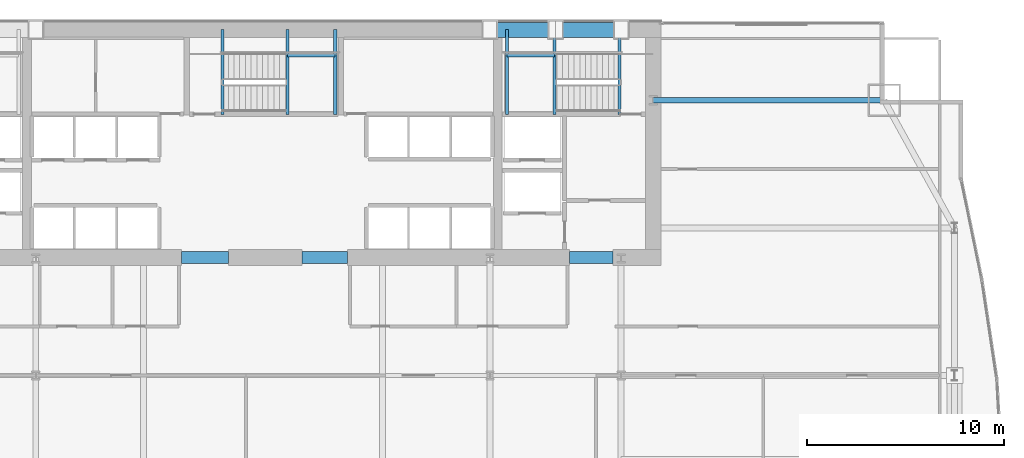
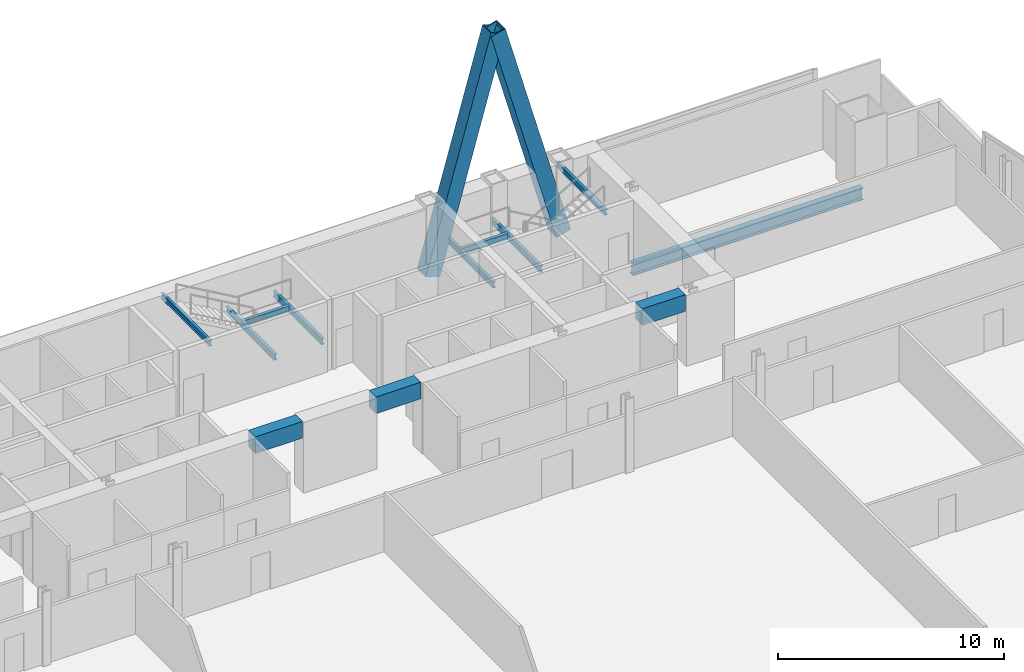
# One storey, part 19 of 36: 12 beams, 2 members.
"""IFC4 building model written with IfcOpenShell, lengths in metres."""

from ifc_helpers import new_model, si_unit, direction, frame, origin, origin_2d, place, context, subcontext, project, spatial, rectangle, hollow_rectangle, i_section, extrude, material, material_profile, profile_set, type_object, element, save


model = new_model("IFC4")

# Units and contexts
model_context = context("Model", 3, precision=1e-05, world=origin(), true_north=direction((0.0, 1.0)))
body_context = subcontext(model_context, "Body", "Model", "MODEL_VIEW")
ifc_project = project(units=[si_unit("LENGTHUNIT", "METRE"), si_unit("AREAUNIT", "SQUARE_METRE"), si_unit("VOLUMEUNIT", "CUBIC_METRE"), si_unit("PLANEANGLEUNIT", "RADIAN"), si_unit("MASSUNIT", "GRAM", prefix="KILO")], contexts=[model_context])

# Site, building, storey
site_placement = place(None, origin())
site = spatial("IfcSite", under=ifc_project, at=site_placement, CompositionType="ELEMENT")
building_placement = place(site_placement, origin())
building = spatial("IfcBuilding", under=site, at=building_placement, Name="Khoronbel Lancet Exchange", CompositionType="ELEMENT")
storey_placement = place(building_placement, frame((0.0, 0.0, 49.800048828125)))
storey = spatial("IfcBuildingStorey", under=building, at=storey_placement, Name="L11", CompositionType="ELEMENT", Elevation=49.800048828125)

# Beams
ifc_material_1 = material(Name="Steel S355", Category="steel")
ifc_material_profile_1 = material_profile(ifc_material_1, i_section(OverallWidth=0.159912109375, OverallDepth=0.330078125, WebThickness=0.007568359375, FlangeThickness=0.011474609375, at=origin_2d()), Name="IPE 330")
ifc_profile_set_1 = profile_set([ifc_material_profile_1], Name="Steel S355")
beam_type_1 = type_object("IfcBeamType", Name="BM-BJ7", PredefinedType="JOIST", material=ifc_profile_set_1)
for number, where, z_axis, x_axis, name in (
    (1, (51.2900390625, 48.97998046875, 1.635009765625), (0.0, 1.0, 0.0), (-1.0, 0.0, 0.0), "Level L11 stair ST2 landing bearer beam 1"),
    (2, (48.8701171875, 48.97998046875, 1.635009765625), (0.0, 1.0, 0.0), (-1.0, 0.0, 0.0), "Level L11 stair ST2 rear landing bearer beam 1"),
):
    element("IfcBeam", number, at=place(storey_placement, frame(where, z_axis=z_axis, x_axis=x_axis)), inside=storey, type_object=beam_type_1, Name=name, PredefinedType="JOIST", context=body_context, shape_type="SweptSolid", body=[
        extrude(i_section(OverallWidth=0.159912109375, OverallDepth=0.330078125, WebThickness=0.007568359375, FlangeThickness=0.011474609375, at=origin_2d()), origin(), (0.0, 0.0, 1.0), 4.320068359375),
    ])
beam_1_placement = place(storey_placement, frame((48.8701171875, 51.97998046875, 1.635009765625), z_axis=(1.0, 0.0, 0.0), x_axis=(0.0, 1.0, 0.0)))
element("IfcBeam", 3, at=beam_1_placement, inside=storey, type_object=beam_type_1, Name="Level L11 stair ST2 landing cross trimmer beam 1", PredefinedType="JOIST", context=body_context, shape_type="SweptSolid", body=[
    extrude(i_section(OverallWidth=0.159912109375, OverallDepth=0.330078125, WebThickness=0.007568359375, FlangeThickness=0.011474609375, at=origin_2d()), origin(), (0.0, 0.0, 1.0), 2.419921875),
])
for number, where, z_axis, x_axis, name in (
    (4, (37.7099609375, 48.97998046875, 1.635009765625), (0.0, 1.0, 0.0), (-1.0, 0.0, 0.0), "Level L11 stair ST3 landing bearer beam 1"),
    (5, (40.1298828125, 48.97998046875, 1.635009765625), (0.0, 1.0, 0.0), (-1.0, 0.0, 0.0), "Level L11 stair ST3 rear landing bearer beam 1"),
):
    element("IfcBeam", number, at=place(storey_placement, frame(where, z_axis=z_axis, x_axis=x_axis)), inside=storey, type_object=beam_type_1, Name=name, PredefinedType="JOIST", context=body_context, shape_type="SweptSolid", body=[
        extrude(i_section(OverallWidth=0.159912109375, OverallDepth=0.330078125, WebThickness=0.007568359375, FlangeThickness=0.011474609375, at=origin_2d()), origin(), (0.0, 0.0, 1.0), 4.320068359375),
    ])
beam_2_placement = place(storey_placement, frame((37.7099609375, 51.97998046875, 1.635009765625), z_axis=(1.0, 0.0, 0.0), x_axis=(0.0, 1.0, 0.0)))
element("IfcBeam", 6, at=beam_2_placement, inside=storey, type_object=beam_type_1, Name="Level L11 stair ST3 landing cross trimmer beam 1", PredefinedType="JOIST", context=body_context, shape_type="SweptSolid", body=[
    extrude(i_section(OverallWidth=0.159912109375, OverallDepth=0.330078125, WebThickness=0.007568359375, FlangeThickness=0.011474609375, at=origin_2d()), origin(), (0.0, 0.0, 1.0), 2.419921875),
])
ifc_material_profile_2 = material_profile(ifc_material_1, i_section(OverallWidth=0.14990234375, OverallDepth=0.300048828125, WebThickness=0.007080078125, FlangeThickness=0.0107421875, at=origin_2d()), Name="IPE 300")
ifc_profile_set_2 = profile_set([ifc_material_profile_2], Name="Steel S355")
beam_type_2 = type_object("IfcBeamType", Name="BM-BJ8", PredefinedType="JOIST", material=ifc_profile_set_2)
for number, where, z_axis, x_axis, name in (
    (7, (54.60009765625, 48.97998046875, 3.5400390625), (0.0, 1.0, 0.0), (-1.0, 0.0, 0.0), "Level L11 stair ST2 upper-flight arrival trimmer beam"),
    (8, (34.39990234375, 48.97998046875, 3.5400390625), (0.0, 1.0, 0.0), (-1.0, 0.0, 0.0), "Level L11 stair ST3 upper-flight arrival trimmer beam"),
):
    element("IfcBeam", number, at=place(storey_placement, frame(where, z_axis=z_axis, x_axis=x_axis)), inside=storey, type_object=beam_type_2, Name=name, PredefinedType="JOIST", context=body_context, shape_type="SweptSolid", body=[
        extrude(i_section(OverallWidth=0.14990234375, OverallDepth=0.300048828125, WebThickness=0.007080078125, FlangeThickness=0.0107421875, at=origin_2d()), origin(), (0.0, 0.0, 1.0), 4.320068359375),
    ])
ifc_material_2 = material(Name="Concrete C80/95", Category="concrete")
ifc_material_profile_3 = material_profile(ifc_material_2, rectangle(XDim=0.60009765625, YDim=0.89990234375, at=origin_2d()), Name="RC 600x900")
ifc_profile_set_3 = profile_set([ifc_material_profile_3], Name="Concrete C80/95")
beam_type_3 = type_object("IfcBeamType", Name="BM-BL1", PredefinedType="LINTEL", material=ifc_profile_set_3)
beam_3_placement = place(storey_placement, frame((32.300048828125, 41.699951171875, 3.369873046875), z_axis=(1.0, 0.0, 0.0), x_axis=(0.0, 1.0, 0.0)))
element("IfcBeam", 9, at=beam_3_placement, inside=storey, type_object=beam_type_3, Name="Level L11 rear core coupling lintel L2", PredefinedType="LINTEL", context=body_context, shape_type="SweptSolid", body=[
    extrude(rectangle(XDim=0.60009765625, YDim=0.89990234375, at=origin_2d()), origin(), (0.0, 0.0, 1.0), 2.39990234375),
])
beam_4_placement = place(storey_placement, frame((38.449951171875, 41.699951171875, 3.369873046875), z_axis=(1.0, 0.0, 0.0), x_axis=(0.0, 1.0, 0.0)))
element("IfcBeam", 10, at=beam_4_placement, inside=storey, type_object=beam_type_3, Name="Level L11 rear core coupling lintel L3", PredefinedType="LINTEL", context=body_context, shape_type="SweptSolid", body=[
    extrude(rectangle(XDim=0.60009765625, YDim=0.89990234375, at=origin_2d()), origin(), (0.0, 0.0, 1.0), 2.300048828125),
])
beam_5_placement = place(storey_placement, frame((52.050048828125, 41.699951171875, 3.369873046875), z_axis=(1.0, 0.0, 0.0), x_axis=(0.0, 1.0, 0.0)))
element("IfcBeam", 11, at=beam_5_placement, inside=storey, type_object=beam_type_3, Name="Level L11 rear core coupling lintel L4", PredefinedType="LINTEL", context=body_context, shape_type="SweptSolid", body=[
    extrude(rectangle(XDim=0.60009765625, YDim=0.89990234375, at=origin_2d()), origin(), (0.0, 0.0, 1.0), 2.199951171875),
])
ifc_material_profile_4 = material_profile(ifc_material_1, i_section(OverallWidth=0.300048828125, OverallDepth=0.64990234375, WebThickness=0.01611328125, FlangeThickness=0.031005859375, at=origin_2d()), Name="HEB 650")
ifc_profile_set_4 = profile_set([ifc_material_profile_4], Name="Steel S355")
beam_type_4 = type_object("IfcBeamType", Name="BM-BSP1", PredefinedType="SPANDREL", material=ifc_profile_set_4)
beam_6_placement = place(storey_placement, frame((68.050048828125, 49.699951171875, -0.505126953125), z_axis=(-1.0, 0.0, 0.0), x_axis=(0.0, -1.0, 0.0)))
element("IfcBeam", 12, at=beam_6_placement, inside=storey, type_object=beam_type_4, Name="Level L11 north flank tie spandrel SP23", PredefinedType="SPANDREL", context=body_context, shape_type="SweptSolid", body=[
    extrude(i_section(OverallWidth=0.300048828125, OverallDepth=0.64990234375, WebThickness=0.01611328125, FlangeThickness=0.031005859375, at=origin_2d()), origin(), (0.0, 0.0, 1.0), 11.75),
])

# Members
ifc_material_3 = material(Name="Steel S460", Category="steel")
ifc_material_profile_5 = material_profile(ifc_material_3, hollow_rectangle(XDim=0.760009765625, YDim=0.760009765625, WallThickness=0.054931640625, at=origin_2d()), Name="BOX 760x760x55")
ifc_profile_set_5 = profile_set([ifc_material_profile_5], Name="Steel S460")
member_type = type_object("IfcMemberType", Name="MEM-MB1", PredefinedType="BRACE", material=ifc_profile_set_5)
for number, where, z_axis, x_axis, name in (
    (13, (48.0, 53.280029296875, 0.0), (0.267947134133, 0.0, 0.963433616452), (0.0, 1.0, 0.0), "Perimeter lancet brace tier 3 N-E-L"),
    (14, (54.675048828125, 53.280029296875, 0.0), (-0.267965327822, 0.0, 0.963428556295), (0.0, -1.0, 0.0), "Perimeter lancet brace tier 3 N-E-R"),
):
    element("IfcMember", number, at=place(storey_placement, frame(where, z_axis=z_axis, x_axis=x_axis)), inside=storey, type_object=member_type, Name=name, PredefinedType="BRACE", context=body_context, shape_type="SweptSolid", body=[
        extrude(hollow_rectangle(XDim=0.760009765625, YDim=0.760009765625, WallThickness=0.054931640625, at=origin_2d()), origin(), (0.0, 0.0, 1.0), 12.45556640625),
    ])

save(model, "model.ifc")
